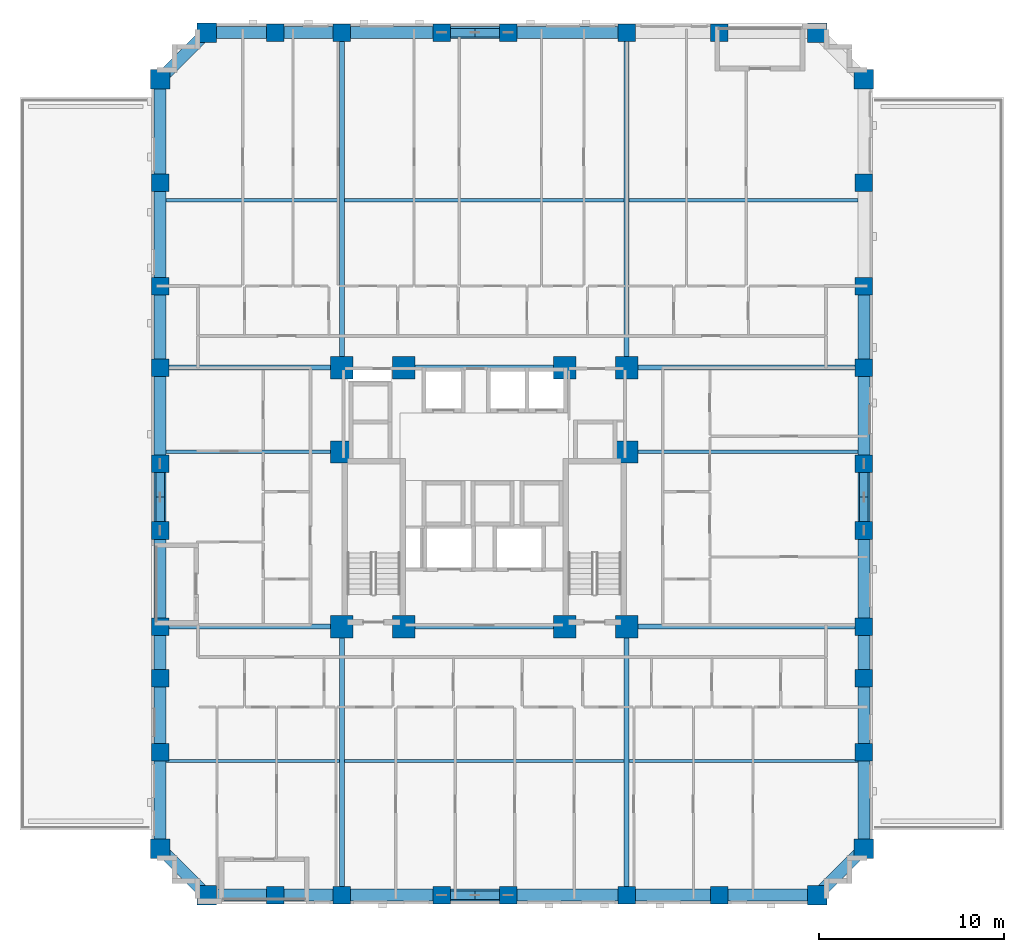
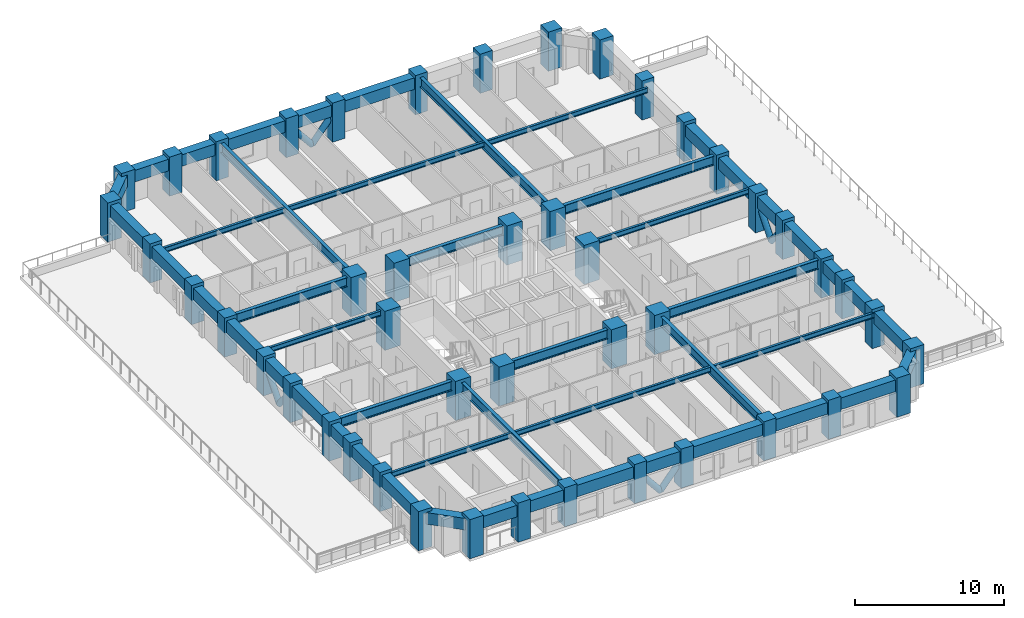
# One storey, part 1 of 14: 49 beams, 46 columns, 8 members.
"""IFC4 building model written with IfcOpenShell, lengths in metres."""

from ifc_helpers import new_model, si_unit, derived_unit, direction, frame, origin, origin_2d, place, context, subcontext, project, spatial, rectangle, hollow_circle, i_section, extrude, material, material_profile, profile_set, type_object, element, save


model = new_model("IFC4")

# Units and contexts
model_context = context("Model", 3, precision=1e-05, world=origin(), true_north=direction((0.0, 1.0)))
body_context = subcontext(model_context, "Body", "Model", "MODEL_VIEW")
ifc_project = project(units=[si_unit("LENGTHUNIT", "METRE"), si_unit("AREAUNIT", "SQUARE_METRE"), si_unit("VOLUMEUNIT", "CUBIC_METRE"), si_unit("PLANEANGLEUNIT", "RADIAN"), si_unit("MASSUNIT", "GRAM", prefix="KILO"), derived_unit("THERMALTRANSMITTANCEUNIT", [(si_unit("MASSUNIT", "GRAM", prefix="KILO"), 1), (si_unit("TIMEUNIT", "SECOND"), -3), (si_unit("THERMODYNAMICTEMPERATUREUNIT", "KELVIN"), -1)])], contexts=[model_context])

# Site, building, storey
site_placement = place(None, origin())
site = spatial("IfcSite", under=ifc_project, at=site_placement, CompositionType="ELEMENT")
building_placement = place(site_placement, origin())
building = spatial("IfcBuilding", under=site, at=building_placement, Name="Korrvale Station Residences", CompositionType="ELEMENT")
storey_placement = place(building_placement, frame((0.0, 0.0, 25.800048828125)))
storey = spatial("IfcBuildingStorey", under=building, at=storey_placement, Name="L05", CompositionType="ELEMENT", Elevation=25.800048828125)

# Columns
ifc_material_1 = material(Name="Concrete C70/85", Category="concrete")
ifc_material_profile_1 = material_profile(ifc_material_1, rectangle(XDim=1.050048828125, YDim=1.050048828125, at=origin_2d()), Name="RC1050x1050")
ifc_profile_set_1 = profile_set([ifc_material_profile_1], Name="Concrete C70/85")
column_type_1 = type_object("IfcColumnType", Name="COL-C-RC1050x1050-C7085", PredefinedType="COLUMN", material=ifc_profile_set_1)
for number, where, z_axis, x_axis, name in (
    (1, (10.5, 0.47998046875, 0.0), (0.0, 0.0, 1.0), (1.0, 0.0, 0.0), "L05 Bundled-Tube South Column 01"),
    (2, (43.5, 0.47998046875, 0.0), (0.0, 0.0, 1.0), (1.0, 0.0, 0.0), "L05 Bundled-Tube South Column 08"),
    (3, (10.5, 47.1201171875, 0.0), (0.0, 0.0, 1.0), (1.0, 0.0, 0.0), "L05 Bundled-Tube North Column 09"),
    (4, (43.5, 47.1201171875, 0.0), (0.0, 0.0, 1.0), (1.0, 0.0, 0.0), "L05 Bundled-Tube North Column 16"),
    (5, (7.97998046875, 3.0, 0.0), (0.0, 0.0, 1.0), (1.0, 0.0, 0.0), "L05 Bundled-Tube West Column 17"),
    (6, (7.97998046875, 44.60009765625, 0.0), (0.0, 0.0, 1.0), (1.0, 0.0, 0.0), "L05 Bundled-Tube West Column 26"),
    (7, (46.02001953125, 3.0, 0.0), (0.0, 0.0, 1.0), (1.0, 0.0, 0.0), "L05 Bundled-Tube East Column 27"),
    (8, (46.02001953125, 44.60009765625, 0.0), (0.0, 0.0, 1.0), (1.0, 0.0, 0.0), "L05 Bundled-Tube East Column 36"),
):
    element("IfcColumn", number, at=place(storey_placement, frame(where, z_axis=z_axis, x_axis=x_axis)), inside=storey, type_object=column_type_1, Name=name, PredefinedType="COLUMN", context=body_context, shape_type="SweptSolid", body=[
        extrude(rectangle(XDim=1.050048828125, YDim=1.050048828125, at=origin_2d()), origin(), (0.0, 0.0, 1.0), 3.199951171875),
    ])
ifc_material_profile_2 = material_profile(ifc_material_1, rectangle(XDim=1.199951171875, YDim=1.199951171875, at=origin_2d()), Name="RC1200x1200")
ifc_profile_set_2 = profile_set([ifc_material_profile_2], Name="Concrete C70/85")
column_type_2 = type_object("IfcColumnType", Name="COL-C-RC1200x1200-C7085", PredefinedType="COLUMN", material=ifc_profile_set_2)
for number, where, z_axis, x_axis, name in (
    (9, (17.800048828125, 15.0, 0.0), (0.0, 0.0, 1.0), (1.0, 0.0, 0.0), "L05 Core Column 01"),
    (10, (21.14990234375, 15.0, 0.0), (0.0, 0.0, 1.0), (1.0, 0.0, 0.0), "L05 Core Column 02"),
    (11, (29.85009765625, 15.0, 0.0), (0.0, 0.0, 1.0), (1.0, 0.0, 0.0), "L05 Core Column 03"),
    (12, (33.199951171875, 15.0, 0.0), (0.0, 0.0, 1.0), (1.0, 0.0, 0.0), "L05 Core Column 04"),
    (13, (17.800048828125, 29.0, 0.0), (0.0, 0.0, 1.0), (1.0, 0.0, 0.0), "L05 Core Column 05"),
    (14, (21.14990234375, 29.0, 0.0), (0.0, 0.0, 1.0), (1.0, 0.0, 0.0), "L05 Core Column 06"),
    (15, (29.85009765625, 29.0, 0.0), (0.0, 0.0, 1.0), (1.0, 0.0, 0.0), "L05 Core Column 07"),
    (16, (33.199951171875, 29.0, 0.0), (0.0, 0.0, 1.0), (1.0, 0.0, 0.0), "L05 Core Column 08"),
    (17, (17.800048828125, 24.449951171875, 0.0), (0.0, 0.0, 1.0), (1.0, 0.0, 0.0), "L05 Core Column 09"),
    (18, (33.199951171875, 24.449951171875, 0.0), (0.0, 0.0, 1.0), (1.0, 0.0, 0.0), "L05 Core Column 10"),
):
    element("IfcColumn", number, at=place(storey_placement, frame(where, z_axis=z_axis, x_axis=x_axis)), inside=storey, type_object=column_type_2, Name=name, PredefinedType="COLUMN", context=body_context, shape_type="SweptSolid", body=[
        extrude(rectangle(XDim=1.199951171875, YDim=1.199951171875, at=origin_2d()), origin(), (0.0, 0.0, 1.0), 3.199951171875),
    ])
ifc_material_profile_3 = material_profile(ifc_material_1, rectangle(XDim=0.949951171875, YDim=0.949951171875, at=origin_2d()), Name="RC950x950")
ifc_profile_set_3 = profile_set([ifc_material_profile_3], Name="Concrete C70/85")
column_type_3 = type_object("IfcColumnType", Name="COL-C-RC950x950-C7085", PredefinedType="COLUMN", material=ifc_profile_set_3)
for number, where, z_axis, x_axis, name in (
    (19, (14.199951171875, 0.47998046875, 0.0), (0.0, 0.0, 1.0), (1.0, 0.0, 0.0), "L05 Bundled-Tube South Column 02"),
    (20, (17.800048828125, 0.47998046875, 0.0), (0.0, 0.0, 1.0), (1.0, 0.0, 0.0), "L05 Bundled-Tube South Column 03"),
    (21, (23.199951171875, 0.47998046875, 0.0), (0.0, 0.0, 1.0), (1.0, 0.0, 0.0), "L05 Bundled-Tube South Column 04"),
    (22, (26.800048828125, 0.47998046875, 0.0), (0.0, 0.0, 1.0), (1.0, 0.0, 0.0), "L05 Bundled-Tube South Column 05"),
    (23, (33.199951171875, 0.47998046875, 0.0), (0.0, 0.0, 1.0), (1.0, 0.0, 0.0), "L05 Bundled-Tube South Column 06"),
    (24, (38.199951171875, 0.47998046875, 0.0), (0.0, 0.0, 1.0), (1.0, 0.0, 0.0), "L05 Bundled-Tube South Column 07"),
    (25, (14.199951171875, 47.1201171875, 0.0), (0.0, 0.0, 1.0), (1.0, 0.0, 0.0), "L05 Bundled-Tube North Column 10"),
    (26, (17.800048828125, 47.1201171875, 0.0), (0.0, 0.0, 1.0), (1.0, 0.0, 0.0), "L05 Bundled-Tube North Column 11"),
    (27, (23.199951171875, 47.1201171875, 0.0), (0.0, 0.0, 1.0), (1.0, 0.0, 0.0), "L05 Bundled-Tube North Column 12"),
    (28, (26.800048828125, 47.1201171875, 0.0), (0.0, 0.0, 1.0), (1.0, 0.0, 0.0), "L05 Bundled-Tube North Column 13"),
    (29, (33.199951171875, 47.1201171875, 0.0), (0.0, 0.0, 1.0), (1.0, 0.0, 0.0), "L05 Bundled-Tube North Column 14"),
    (30, (38.199951171875, 47.1201171875, 0.0), (0.0, 0.0, 1.0), (1.0, 0.0, 0.0), "L05 Bundled-Tube North Column 15"),
    (31, (7.97998046875, 8.199951171875, 0.0), (0.0, 0.0, 1.0), (1.0, 0.0, 0.0), "L05 Bundled-Tube West Column 18"),
    (32, (7.97998046875, 12.199951171875, 0.0), (0.0, 0.0, 1.0), (1.0, 0.0, 0.0), "L05 Bundled-Tube West Column 19"),
    (33, (7.97998046875, 15.0, 0.0), (0.0, 0.0, 1.0), (1.0, 0.0, 0.0), "L05 Bundled-Tube West Column 20"),
    (34, (7.97998046875, 20.199951171875, 0.0), (0.0, 0.0, 1.0), (1.0, 0.0, 0.0), "L05 Bundled-Tube West Column 21"),
    (35, (7.97998046875, 23.800048828125, 0.0), (0.0, 0.0, 1.0), (1.0, 0.0, 0.0), "L05 Bundled-Tube West Column 22"),
    (36, (7.97998046875, 29.0, 0.0), (0.0, 0.0, 1.0), (1.0, 0.0, 0.0), "L05 Bundled-Tube West Column 23"),
    (37, (7.97998046875, 33.39990234375, 0.0), (0.0, 0.0, 1.0), (1.0, 0.0, 0.0), "L05 Bundled-Tube West Column 24"),
    (38, (7.97998046875, 39.0, 0.0), (0.0, 0.0, 1.0), (1.0, 0.0, 0.0), "L05 Bundled-Tube West Column 25"),
    (39, (46.02001953125, 8.199951171875, 0.0), (0.0, 0.0, 1.0), (1.0, 0.0, 0.0), "L05 Bundled-Tube East Column 28"),
    (40, (46.02001953125, 12.199951171875, 0.0), (0.0, 0.0, 1.0), (1.0, 0.0, 0.0), "L05 Bundled-Tube East Column 29"),
    (41, (46.02001953125, 15.0, 0.0), (0.0, 0.0, 1.0), (1.0, 0.0, 0.0), "L05 Bundled-Tube East Column 30"),
    (42, (46.02001953125, 20.199951171875, 0.0), (0.0, 0.0, 1.0), (1.0, 0.0, 0.0), "L05 Bundled-Tube East Column 31"),
    (43, (46.02001953125, 23.800048828125, 0.0), (0.0, 0.0, 1.0), (1.0, 0.0, 0.0), "L05 Bundled-Tube East Column 32"),
    (44, (46.02001953125, 29.0, 0.0), (0.0, 0.0, 1.0), (1.0, 0.0, 0.0), "L05 Bundled-Tube East Column 33"),
    (45, (46.02001953125, 33.39990234375, 0.0), (0.0, 0.0, 1.0), (1.0, 0.0, 0.0), "L05 Bundled-Tube East Column 34"),
    (46, (46.02001953125, 39.0, 0.0), (0.0, 0.0, 1.0), (1.0, 0.0, 0.0), "L05 Bundled-Tube East Column 35"),
):
    element("IfcColumn", number, at=place(storey_placement, frame(where, z_axis=z_axis, x_axis=x_axis)), inside=storey, type_object=column_type_3, Name=name, PredefinedType="COLUMN", context=body_context, shape_type="SweptSolid", body=[
        extrude(rectangle(XDim=0.949951171875, YDim=0.949951171875, at=origin_2d()), origin(), (0.0, 0.0, 1.0), 3.199951171875),
    ])

# Beams
ifc_material_2 = material(Name="Steel S355", Category="steel")
ifc_material_profile_4 = material_profile(ifc_material_2, i_section(OverallWidth=0.26806640625, OverallDepth=0.77001953125, WebThickness=0.015625, FlangeThickness=0.025390625, FilletRadius=0.02197265625, at=origin_2d()), Name="W760x196")
ifc_profile_set_4 = profile_set([ifc_material_profile_4], Name="Steel S355")
beam_type_1 = type_object("IfcBeamType", Name="BM-BM-W760x196-S355", PredefinedType="BEAM", material=ifc_profile_set_4)
for number, where, z_axis, x_axis, name in (
    (47, (17.800048828125, 0.47998046875, 2.554931640625), (0.0, 1.0, 0.0), (-1.0, 0.0, 0.0), "L05 Bundled-Tube Web Girder 01"),
    (48, (33.199951171875, 0.47998046875, 2.554931640625), (0.0, 1.0, 0.0), (-1.0, 0.0, 0.0), "L05 Bundled-Tube Web Girder 02"),
):
    element("IfcBeam", number, at=place(storey_placement, frame(where, z_axis=z_axis, x_axis=x_axis)), inside=storey, type_object=beam_type_1, Name=name, PredefinedType="BEAM", context=body_context, shape_type="SweptSolid", body=[
        extrude(i_section(OverallWidth=0.26806640625, OverallDepth=0.77001953125, WebThickness=0.015625, FlangeThickness=0.025390625, FilletRadius=0.02197265625, at=origin_2d()), origin(), (0.0, 0.0, 1.0), 14.52001953125),
    ])
for number, where, z_axis, x_axis, name in (
    (49, (17.800048828125, 29.0, 2.554931640625), (0.0, 1.0, 0.0), (-1.0, 0.0, 0.0), "L05 Bundled-Tube Web Girder 03"),
    (50, (33.199951171875, 29.0, 2.554931640625), (0.0, 1.0, 0.0), (-1.0, 0.0, 0.0), "L05 Bundled-Tube Web Girder 04"),
):
    element("IfcBeam", number, at=place(storey_placement, frame(where, z_axis=z_axis, x_axis=x_axis)), inside=storey, type_object=beam_type_1, Name=name, PredefinedType="BEAM", context=body_context, shape_type="SweptSolid", body=[
        extrude(i_section(OverallWidth=0.26806640625, OverallDepth=0.77001953125, WebThickness=0.015625, FlangeThickness=0.025390625, FilletRadius=0.02197265625, at=origin_2d()), origin(), (0.0, 0.0, 1.0), 18.1201171875),
    ])
beam_1_placement = place(storey_placement, frame((7.97998046875, 15.0, 2.554931640625), z_axis=(1.0, 0.0, 0.0), x_axis=(0.0, 1.0, 0.0)))
element("IfcBeam", 51, at=beam_1_placement, inside=storey, type_object=beam_type_1, Name="L05 Bundled-Tube Web Girder 05", PredefinedType="BEAM", context=body_context, shape_type="SweptSolid", body=[
    extrude(i_section(OverallWidth=0.26806640625, OverallDepth=0.77001953125, WebThickness=0.015625, FlangeThickness=0.025390625, FilletRadius=0.02197265625, at=origin_2d()), origin(), (0.0, 0.0, 1.0), 9.820068359375),
])
beam_2_placement = place(storey_placement, frame((33.199951171875, 15.0, 2.554931640625), z_axis=(1.0, 0.0, 0.0), x_axis=(0.0, 1.0, 0.0)))
element("IfcBeam", 52, at=beam_2_placement, inside=storey, type_object=beam_type_1, Name="L05 Bundled-Tube Web Girder 06", PredefinedType="BEAM", context=body_context, shape_type="SweptSolid", body=[
    extrude(i_section(OverallWidth=0.26806640625, OverallDepth=0.77001953125, WebThickness=0.015625, FlangeThickness=0.025390625, FilletRadius=0.02197265625, at=origin_2d()), origin(), (0.0, 0.0, 1.0), 12.820068359375),
])
beam_3_placement = place(storey_placement, frame((7.97998046875, 29.0, 2.554931640625), z_axis=(1.0, 0.0, 0.0), x_axis=(0.0, 1.0, 0.0)))
element("IfcBeam", 53, at=beam_3_placement, inside=storey, type_object=beam_type_1, Name="L05 Bundled-Tube Web Girder 07", PredefinedType="BEAM", context=body_context, shape_type="SweptSolid", body=[
    extrude(i_section(OverallWidth=0.26806640625, OverallDepth=0.77001953125, WebThickness=0.015625, FlangeThickness=0.025390625, FilletRadius=0.02197265625, at=origin_2d()), origin(), (0.0, 0.0, 1.0), 9.820068359375),
])
beam_4_placement = place(storey_placement, frame((33.199951171875, 29.0, 2.554931640625), z_axis=(1.0, 0.0, 0.0), x_axis=(0.0, 1.0, 0.0)))
element("IfcBeam", 54, at=beam_4_placement, inside=storey, type_object=beam_type_1, Name="L05 Bundled-Tube Web Girder 08", PredefinedType="BEAM", context=body_context, shape_type="SweptSolid", body=[
    extrude(i_section(OverallWidth=0.26806640625, OverallDepth=0.77001953125, WebThickness=0.015625, FlangeThickness=0.025390625, FilletRadius=0.02197265625, at=origin_2d()), origin(), (0.0, 0.0, 1.0), 12.820068359375),
])
for number, where, z_axis, x_axis, name in (
    (55, (21.14990234375, 15.0, 2.554931640625), (1.0, 0.0, 0.0), (0.0, 1.0, 0.0), "L05 Bundled-Tube Web Girder 09"),
    (56, (21.14990234375, 29.0, 2.554931640625), (1.0, 0.0, 0.0), (0.0, 1.0, 0.0), "L05 Bundled-Tube Web Girder 10"),
):
    element("IfcBeam", number, at=place(storey_placement, frame(where, z_axis=z_axis, x_axis=x_axis)), inside=storey, type_object=beam_type_1, Name=name, PredefinedType="BEAM", context=body_context, shape_type="SweptSolid", body=[
        extrude(i_section(OverallWidth=0.26806640625, OverallDepth=0.77001953125, WebThickness=0.015625, FlangeThickness=0.025390625, FilletRadius=0.02197265625, at=origin_2d()), origin(), (0.0, 0.0, 1.0), 8.7001953125),
    ])
ifc_material_profile_5 = material_profile(ifc_material_2, i_section(OverallWidth=0.180908203125, OverallDepth=0.4169921875, WebThickness=0.010986328125, FlangeThickness=0.018310546875, FilletRadius=0.01611328125, at=origin_2d()), Name="W410x85")
ifc_profile_set_5 = profile_set([ifc_material_profile_5], Name="Steel S355")
beam_type_2 = type_object("IfcBeamType", Name="BM-JST-W410x85-S355", PredefinedType="JOIST", material=ifc_profile_set_5)
beam_5_placement = place(storey_placement, frame((8.304931640625, 7.739990234375, 2.7314453125), z_axis=(1.0, 0.0, 0.0), x_axis=(0.0, 1.0, 0.0)))
element("IfcBeam", 57, at=beam_5_placement, inside=storey, type_object=beam_type_2, Name="L05 Floor Framing Joist 01", PredefinedType="JOIST", context=body_context, shape_type="SweptSolid", body=[
    extrude(i_section(OverallWidth=0.180908203125, OverallDepth=0.4169921875, WebThickness=0.010986328125, FlangeThickness=0.018310546875, FilletRadius=0.01611328125, at=origin_2d()), origin(), (0.0, 0.0, 1.0), 9.361083984375),
])
beam_6_placement = place(storey_placement, frame((17.93408203125, 7.739990234375, 2.7314453125), z_axis=(1.0, 0.0, 0.0), x_axis=(0.0, 1.0, 0.0)))
element("IfcBeam", 58, at=beam_6_placement, inside=storey, type_object=beam_type_2, Name="L05 Floor Framing Joist 02", PredefinedType="JOIST", context=body_context, shape_type="SweptSolid", body=[
    extrude(i_section(OverallWidth=0.180908203125, OverallDepth=0.4169921875, WebThickness=0.010986328125, FlangeThickness=0.018310546875, FilletRadius=0.01611328125, at=origin_2d()), origin(), (0.0, 0.0, 1.0), 15.1318359375),
])
beam_7_placement = place(storey_placement, frame((33.333984375, 7.739990234375, 2.7314453125), z_axis=(1.0, 0.0, 0.0), x_axis=(0.0, 1.0, 0.0)))
element("IfcBeam", 59, at=beam_7_placement, inside=storey, type_object=beam_type_2, Name="L05 Floor Framing Joist 03", PredefinedType="JOIST", context=body_context, shape_type="SweptSolid", body=[
    extrude(i_section(OverallWidth=0.180908203125, OverallDepth=0.4169921875, WebThickness=0.010986328125, FlangeThickness=0.018310546875, FilletRadius=0.01611328125, at=origin_2d()), origin(), (0.0, 0.0, 1.0), 12.361083984375),
])
beam_8_placement = place(storey_placement, frame((8.304931640625, 38.06005859375, 2.7314453125), z_axis=(1.0, 0.0, 0.0), x_axis=(0.0, 1.0, 0.0)))
element("IfcBeam", 60, at=beam_8_placement, inside=storey, type_object=beam_type_2, Name="L05 Floor Framing Joist 04", PredefinedType="JOIST", context=body_context, shape_type="SweptSolid", body=[
    extrude(i_section(OverallWidth=0.180908203125, OverallDepth=0.4169921875, WebThickness=0.010986328125, FlangeThickness=0.018310546875, FilletRadius=0.01611328125, at=origin_2d()), origin(), (0.0, 0.0, 1.0), 9.361083984375),
])
beam_9_placement = place(storey_placement, frame((17.93408203125, 38.06005859375, 2.7314453125), z_axis=(1.0, 0.0, 0.0), x_axis=(0.0, 1.0, 0.0)))
element("IfcBeam", 61, at=beam_9_placement, inside=storey, type_object=beam_type_2, Name="L05 Floor Framing Joist 05", PredefinedType="JOIST", context=body_context, shape_type="SweptSolid", body=[
    extrude(i_section(OverallWidth=0.180908203125, OverallDepth=0.4169921875, WebThickness=0.010986328125, FlangeThickness=0.018310546875, FilletRadius=0.01611328125, at=origin_2d()), origin(), (0.0, 0.0, 1.0), 15.1318359375),
])
beam_10_placement = place(storey_placement, frame((33.333984375, 38.06005859375, 2.7314453125), z_axis=(1.0, 0.0, 0.0), x_axis=(0.0, 1.0, 0.0)))
element("IfcBeam", 62, at=beam_10_placement, inside=storey, type_object=beam_type_2, Name="L05 Floor Framing Joist 06", PredefinedType="JOIST", context=body_context, shape_type="SweptSolid", body=[
    extrude(i_section(OverallWidth=0.180908203125, OverallDepth=0.4169921875, WebThickness=0.010986328125, FlangeThickness=0.018310546875, FilletRadius=0.01611328125, at=origin_2d()), origin(), (0.0, 0.0, 1.0), 12.361083984375),
])
beam_11_placement = place(storey_placement, frame((33.199951171875, 24.449951171875, 2.7314453125), z_axis=(1.0, 0.0, 0.0), x_axis=(0.0, 1.0, 0.0)))
element("IfcBeam", 63, at=beam_11_placement, inside=storey, type_object=beam_type_2, Name="L05 Floor Framing Joist 07", PredefinedType="JOIST", context=body_context, shape_type="SweptSolid", body=[
    extrude(i_section(OverallWidth=0.180908203125, OverallDepth=0.4169921875, WebThickness=0.010986328125, FlangeThickness=0.018310546875, FilletRadius=0.01611328125, at=origin_2d()), origin(), (0.0, 0.0, 1.0), 12.4951171875),
])
beam_12_placement = place(storey_placement, frame((8.304931640625, 24.449951171875, 2.7314453125), z_axis=(1.0, 0.0, 0.0), x_axis=(0.0, 1.0, 0.0)))
element("IfcBeam", 64, at=beam_12_placement, inside=storey, type_object=beam_type_2, Name="L05 Floor Framing Joist 08", PredefinedType="JOIST", context=body_context, shape_type="SweptSolid", body=[
    extrude(i_section(OverallWidth=0.180908203125, OverallDepth=0.4169921875, WebThickness=0.010986328125, FlangeThickness=0.018310546875, FilletRadius=0.01611328125, at=origin_2d()), origin(), (0.0, 0.0, 1.0), 9.4951171875),
])
ifc_material_profile_6 = material_profile(ifc_material_1, rectangle(XDim=0.64990234375, YDim=0.949951171875, at=origin_2d()), Name="RCB650x950")
ifc_profile_set_6 = profile_set([ifc_material_profile_6], Name="Concrete C70/85")
beam_type_3 = type_object("IfcBeamType", Name="BM-SPB-RCB650x950-C7085", PredefinedType="SPANDREL", material=ifc_profile_set_6)
beam_13_placement = place(storey_placement, frame((10.5, 0.47998046875, 2.46484375), z_axis=(1.0, 0.0, 0.0), x_axis=(0.0, 1.0, 0.0)))
element("IfcBeam", 65, at=beam_13_placement, inside=storey, type_object=beam_type_3, Name="L05 South Tube Spandrel 01", PredefinedType="SPANDREL", context=body_context, shape_type="SweptSolid", body=[
    extrude(rectangle(XDim=0.64990234375, YDim=0.949951171875, at=origin_2d()), origin(), (0.0, 0.0, 1.0), 3.699951171875),
])
beam_14_placement = place(storey_placement, frame((14.199951171875, 0.47998046875, 2.46484375), z_axis=(1.0, 0.0, 0.0), x_axis=(0.0, 1.0, 0.0)))
element("IfcBeam", 66, at=beam_14_placement, inside=storey, type_object=beam_type_3, Name="L05 South Tube Spandrel 02", PredefinedType="SPANDREL", context=body_context, shape_type="SweptSolid", body=[
    extrude(rectangle(XDim=0.64990234375, YDim=0.949951171875, at=origin_2d()), origin(), (0.0, 0.0, 1.0), 3.60009765625),
])
beam_15_placement = place(storey_placement, frame((17.800048828125, 0.47998046875, 2.46484375), z_axis=(1.0, 0.0, 0.0), x_axis=(0.0, 1.0, 0.0)))
element("IfcBeam", 67, at=beam_15_placement, inside=storey, type_object=beam_type_3, Name="L05 South Tube Spandrel 03", PredefinedType="SPANDREL", context=body_context, shape_type="SweptSolid", body=[
    extrude(rectangle(XDim=0.64990234375, YDim=0.949951171875, at=origin_2d()), origin(), (0.0, 0.0, 1.0), 5.39990234375),
])
beam_16_placement = place(storey_placement, frame((23.199951171875, 0.47998046875, 2.46484375), z_axis=(1.0, 0.0, 0.0), x_axis=(0.0, 1.0, 0.0)))
element("IfcBeam", 68, at=beam_16_placement, inside=storey, type_object=beam_type_3, Name="L05 South Tube Spandrel 04", PredefinedType="SPANDREL", context=body_context, shape_type="SweptSolid", body=[
    extrude(rectangle(XDim=0.64990234375, YDim=0.949951171875, at=origin_2d()), origin(), (0.0, 0.0, 1.0), 3.60009765625),
])
beam_17_placement = place(storey_placement, frame((26.800048828125, 0.47998046875, 2.46484375), z_axis=(1.0, 0.0, 0.0), x_axis=(0.0, 1.0, 0.0)))
element("IfcBeam", 69, at=beam_17_placement, inside=storey, type_object=beam_type_3, Name="L05 South Tube Spandrel 05", PredefinedType="SPANDREL", context=body_context, shape_type="SweptSolid", body=[
    extrude(rectangle(XDim=0.64990234375, YDim=0.949951171875, at=origin_2d()), origin(), (0.0, 0.0, 1.0), 6.39990234375),
])
beam_18_placement = place(storey_placement, frame((33.199951171875, 0.47998046875, 2.46484375), z_axis=(1.0, 0.0, 0.0), x_axis=(0.0, 1.0, 0.0)))
element("IfcBeam", 70, at=beam_18_placement, inside=storey, type_object=beam_type_3, Name="L05 South Tube Spandrel 06", PredefinedType="SPANDREL", context=body_context, shape_type="SweptSolid", body=[
    extrude(rectangle(XDim=0.64990234375, YDim=0.949951171875, at=origin_2d()), origin(), (0.0, 0.0, 1.0), 5.0),
])
beam_19_placement = place(storey_placement, frame((38.199951171875, 0.47998046875, 2.46484375), z_axis=(1.0, 0.0, 0.0), x_axis=(0.0, 1.0, 0.0)))
element("IfcBeam", 71, at=beam_19_placement, inside=storey, type_object=beam_type_3, Name="L05 South Tube Spandrel 07", PredefinedType="SPANDREL", context=body_context, shape_type="SweptSolid", body=[
    extrude(rectangle(XDim=0.64990234375, YDim=0.949951171875, at=origin_2d()), origin(), (0.0, 0.0, 1.0), 5.300048828125),
])
beam_20_placement = place(storey_placement, frame((10.5, 47.1201171875, 2.46484375), z_axis=(1.0, 0.0, 0.0), x_axis=(0.0, 1.0, 0.0)))
element("IfcBeam", 72, at=beam_20_placement, inside=storey, type_object=beam_type_3, Name="L05 North Tube Spandrel 08", PredefinedType="SPANDREL", context=body_context, shape_type="SweptSolid", body=[
    extrude(rectangle(XDim=0.64990234375, YDim=0.949951171875, at=origin_2d()), origin(), (0.0, 0.0, 1.0), 3.699951171875),
])
beam_21_placement = place(storey_placement, frame((14.199951171875, 47.1201171875, 2.46484375), z_axis=(1.0, 0.0, 0.0), x_axis=(0.0, 1.0, 0.0)))
element("IfcBeam", 73, at=beam_21_placement, inside=storey, type_object=beam_type_3, Name="L05 North Tube Spandrel 09", PredefinedType="SPANDREL", context=body_context, shape_type="SweptSolid", body=[
    extrude(rectangle(XDim=0.64990234375, YDim=0.949951171875, at=origin_2d()), origin(), (0.0, 0.0, 1.0), 3.60009765625),
])
beam_22_placement = place(storey_placement, frame((17.800048828125, 47.1201171875, 2.46484375), z_axis=(1.0, 0.0, 0.0), x_axis=(0.0, 1.0, 0.0)))
element("IfcBeam", 74, at=beam_22_placement, inside=storey, type_object=beam_type_3, Name="L05 North Tube Spandrel 10", PredefinedType="SPANDREL", context=body_context, shape_type="SweptSolid", body=[
    extrude(rectangle(XDim=0.64990234375, YDim=0.949951171875, at=origin_2d()), origin(), (0.0, 0.0, 1.0), 5.39990234375),
])
beam_23_placement = place(storey_placement, frame((23.199951171875, 47.1201171875, 2.46484375), z_axis=(1.0, 0.0, 0.0), x_axis=(0.0, 1.0, 0.0)))
element("IfcBeam", 75, at=beam_23_placement, inside=storey, type_object=beam_type_3, Name="L05 North Tube Spandrel 11", PredefinedType="SPANDREL", context=body_context, shape_type="SweptSolid", body=[
    extrude(rectangle(XDim=0.64990234375, YDim=0.949951171875, at=origin_2d()), origin(), (0.0, 0.0, 1.0), 3.60009765625),
])
beam_24_placement = place(storey_placement, frame((26.800048828125, 47.1201171875, 2.46484375), z_axis=(1.0, 0.0, 0.0), x_axis=(0.0, 1.0, 0.0)))
element("IfcBeam", 76, at=beam_24_placement, inside=storey, type_object=beam_type_3, Name="L05 North Tube Spandrel 12", PredefinedType="SPANDREL", context=body_context, shape_type="SweptSolid", body=[
    extrude(rectangle(XDim=0.64990234375, YDim=0.949951171875, at=origin_2d()), origin(), (0.0, 0.0, 1.0), 6.39990234375),
])
beam_25_placement = place(storey_placement, frame((7.97998046875, 3.0, 2.46484375), z_axis=(0.0, 1.0, 0.0), x_axis=(-1.0, 0.0, 0.0)))
element("IfcBeam", 77, at=beam_25_placement, inside=storey, type_object=beam_type_3, Name="L05 West Tube Spandrel 15", PredefinedType="SPANDREL", context=body_context, shape_type="SweptSolid", body=[
    extrude(rectangle(XDim=0.64990234375, YDim=0.949951171875, at=origin_2d()), origin(), (0.0, 0.0, 1.0), 5.199951171875),
])
beam_26_placement = place(storey_placement, frame((7.97998046875, 8.199951171875, 2.46484375), z_axis=(0.0, 1.0, 0.0), x_axis=(-1.0, 0.0, 0.0)))
element("IfcBeam", 78, at=beam_26_placement, inside=storey, type_object=beam_type_3, Name="L05 West Tube Spandrel 16", PredefinedType="SPANDREL", context=body_context, shape_type="SweptSolid", body=[
    extrude(rectangle(XDim=0.64990234375, YDim=0.949951171875, at=origin_2d()), origin(), (0.0, 0.0, 1.0), 4.0),
])
beam_27_placement = place(storey_placement, frame((7.97998046875, 12.199951171875, 2.46484375), z_axis=(0.0, 1.0, 0.0), x_axis=(-1.0, 0.0, 0.0)))
element("IfcBeam", 79, at=beam_27_placement, inside=storey, type_object=beam_type_3, Name="L05 West Tube Spandrel 17", PredefinedType="SPANDREL", context=body_context, shape_type="SweptSolid", body=[
    extrude(rectangle(XDim=0.64990234375, YDim=0.949951171875, at=origin_2d()), origin(), (0.0, 0.0, 1.0), 2.800048828125),
])
beam_28_placement = place(storey_placement, frame((7.97998046875, 15.0, 2.46484375), z_axis=(0.0, 1.0, 0.0), x_axis=(-1.0, 0.0, 0.0)))
element("IfcBeam", 80, at=beam_28_placement, inside=storey, type_object=beam_type_3, Name="L05 West Tube Spandrel 18", PredefinedType="SPANDREL", context=body_context, shape_type="SweptSolid", body=[
    extrude(rectangle(XDim=0.64990234375, YDim=0.949951171875, at=origin_2d()), origin(), (0.0, 0.0, 1.0), 5.199951171875),
])
beam_29_placement = place(storey_placement, frame((7.97998046875, 20.199951171875, 2.46484375), z_axis=(0.0, 1.0, 0.0), x_axis=(-1.0, 0.0, 0.0)))
element("IfcBeam", 81, at=beam_29_placement, inside=storey, type_object=beam_type_3, Name="L05 West Tube Spandrel 19", PredefinedType="SPANDREL", context=body_context, shape_type="SweptSolid", body=[
    extrude(rectangle(XDim=0.64990234375, YDim=0.949951171875, at=origin_2d()), origin(), (0.0, 0.0, 1.0), 3.60009765625),
])
beam_30_placement = place(storey_placement, frame((7.97998046875, 23.800048828125, 2.46484375), z_axis=(0.0, 1.0, 0.0), x_axis=(-1.0, 0.0, 0.0)))
element("IfcBeam", 82, at=beam_30_placement, inside=storey, type_object=beam_type_3, Name="L05 West Tube Spandrel 20", PredefinedType="SPANDREL", context=body_context, shape_type="SweptSolid", body=[
    extrude(rectangle(XDim=0.64990234375, YDim=0.949951171875, at=origin_2d()), origin(), (0.0, 0.0, 1.0), 5.199951171875),
])
beam_31_placement = place(storey_placement, frame((7.97998046875, 29.0, 2.46484375), z_axis=(0.0, 1.0, 0.0), x_axis=(-1.0, 0.0, 0.0)))
element("IfcBeam", 83, at=beam_31_placement, inside=storey, type_object=beam_type_3, Name="L05 West Tube Spandrel 21", PredefinedType="SPANDREL", context=body_context, shape_type="SweptSolid", body=[
    extrude(rectangle(XDim=0.64990234375, YDim=0.949951171875, at=origin_2d()), origin(), (0.0, 0.0, 1.0), 4.39990234375),
])
for number, where, z_axis, x_axis, name in (
    (84, (7.97998046875, 33.39990234375, 2.46484375), (0.0, 1.0, 0.0), (-1.0, 0.0, 0.0), "L05 West Tube Spandrel 22"),
    (85, (7.97998046875, 39.0, 2.46484375), (0.0, 1.0, 0.0), (-1.0, 0.0, 0.0), "L05 West Tube Spandrel 23"),
):
    element("IfcBeam", number, at=place(storey_placement, frame(where, z_axis=z_axis, x_axis=x_axis)), inside=storey, type_object=beam_type_3, Name=name, PredefinedType="SPANDREL", context=body_context, shape_type="SweptSolid", body=[
        extrude(rectangle(XDim=0.64990234375, YDim=0.949951171875, at=origin_2d()), origin(), (0.0, 0.0, 1.0), 5.60009765625),
    ])
beam_32_placement = place(storey_placement, frame((46.02001953125, 3.0, 2.46484375), z_axis=(0.0, 1.0, 0.0), x_axis=(-1.0, 0.0, 0.0)))
element("IfcBeam", 86, at=beam_32_placement, inside=storey, type_object=beam_type_3, Name="L05 East Tube Spandrel 24", PredefinedType="SPANDREL", context=body_context, shape_type="SweptSolid", body=[
    extrude(rectangle(XDim=0.64990234375, YDim=0.949951171875, at=origin_2d()), origin(), (0.0, 0.0, 1.0), 5.199951171875),
])
beam_33_placement = place(storey_placement, frame((46.02001953125, 8.199951171875, 2.46484375), z_axis=(0.0, 1.0, 0.0), x_axis=(-1.0, 0.0, 0.0)))
element("IfcBeam", 87, at=beam_33_placement, inside=storey, type_object=beam_type_3, Name="L05 East Tube Spandrel 25", PredefinedType="SPANDREL", context=body_context, shape_type="SweptSolid", body=[
    extrude(rectangle(XDim=0.64990234375, YDim=0.949951171875, at=origin_2d()), origin(), (0.0, 0.0, 1.0), 4.0),
])
beam_34_placement = place(storey_placement, frame((46.02001953125, 12.199951171875, 2.46484375), z_axis=(0.0, 1.0, 0.0), x_axis=(-1.0, 0.0, 0.0)))
element("IfcBeam", 88, at=beam_34_placement, inside=storey, type_object=beam_type_3, Name="L05 East Tube Spandrel 26", PredefinedType="SPANDREL", context=body_context, shape_type="SweptSolid", body=[
    extrude(rectangle(XDim=0.64990234375, YDim=0.949951171875, at=origin_2d()), origin(), (0.0, 0.0, 1.0), 2.800048828125),
])
beam_35_placement = place(storey_placement, frame((46.02001953125, 15.0, 2.46484375), z_axis=(0.0, 1.0, 0.0), x_axis=(-1.0, 0.0, 0.0)))
element("IfcBeam", 89, at=beam_35_placement, inside=storey, type_object=beam_type_3, Name="L05 East Tube Spandrel 27", PredefinedType="SPANDREL", context=body_context, shape_type="SweptSolid", body=[
    extrude(rectangle(XDim=0.64990234375, YDim=0.949951171875, at=origin_2d()), origin(), (0.0, 0.0, 1.0), 5.199951171875),
])
beam_36_placement = place(storey_placement, frame((46.02001953125, 20.199951171875, 2.46484375), z_axis=(0.0, 1.0, 0.0), x_axis=(-1.0, 0.0, 0.0)))
element("IfcBeam", 90, at=beam_36_placement, inside=storey, type_object=beam_type_3, Name="L05 East Tube Spandrel 28", PredefinedType="SPANDREL", context=body_context, shape_type="SweptSolid", body=[
    extrude(rectangle(XDim=0.64990234375, YDim=0.949951171875, at=origin_2d()), origin(), (0.0, 0.0, 1.0), 3.60009765625),
])
beam_37_placement = place(storey_placement, frame((46.02001953125, 23.800048828125, 2.46484375), z_axis=(0.0, 1.0, 0.0), x_axis=(-1.0, 0.0, 0.0)))
element("IfcBeam", 91, at=beam_37_placement, inside=storey, type_object=beam_type_3, Name="L05 East Tube Spandrel 29", PredefinedType="SPANDREL", context=body_context, shape_type="SweptSolid", body=[
    extrude(rectangle(XDim=0.64990234375, YDim=0.949951171875, at=origin_2d()), origin(), (0.0, 0.0, 1.0), 5.199951171875),
])
beam_38_placement = place(storey_placement, frame((46.02001953125, 29.0, 2.46484375), z_axis=(0.0, 1.0, 0.0), x_axis=(-1.0, 0.0, 0.0)))
element("IfcBeam", 92, at=beam_38_placement, inside=storey, type_object=beam_type_3, Name="L05 East Tube Spandrel 30", PredefinedType="SPANDREL", context=body_context, shape_type="SweptSolid", body=[
    extrude(rectangle(XDim=0.64990234375, YDim=0.949951171875, at=origin_2d()), origin(), (0.0, 0.0, 1.0), 4.39990234375),
])
for number, where, z_axis, x_axis, name in (
    (93, (10.5, 0.47998046875, 2.46484375), (-0.707106781187, 0.707106781187, 0.0), (-0.707106781187, -0.707106781187, 0.0), "L05 Serrated Corner Spandrel 33"),
    (94, (43.5, 0.47998046875, 2.46484375), (0.707106781187, 0.707106781187, 0.0), (-0.707106781187, 0.707106781187, 0.0), "L05 Serrated Corner Spandrel 34"),
    (95, (10.5, 47.1201171875, 2.46484375), (-0.707106781187, -0.707106781187, 0.0), (0.707106781187, -0.707106781187, 0.0), "L05 Serrated Corner Spandrel 36"),
):
    element("IfcBeam", number, at=place(storey_placement, frame(where, z_axis=z_axis, x_axis=x_axis)), inside=storey, type_object=beam_type_3, Name=name, PredefinedType="SPANDREL", context=body_context, shape_type="SweptSolid", body=[
        extrude(rectangle(XDim=0.64990234375, YDim=0.949951171875, at=origin_2d()), origin(), (0.0, 0.0, 1.0), 3.56396484375),
    ])

# Members
ifc_material_profile_7 = material_profile(ifc_material_2, hollow_circle(Radius=0.228515625, WallThickness=0.01904296875, at=origin_2d()), Name="HSS457x19")
ifc_profile_set_7 = profile_set([ifc_material_profile_7], Name="Steel S355")
member_type = type_object("IfcMemberType", Name="MBR-BR-HSS457x19", PredefinedType="BRACE", material=ifc_profile_set_7)
for number, where, z_axis, x_axis, name in (
    (96, (25.0, 0.47998046875, 0.02001953125), (-0.634985494602, 0.0, 0.772524058942), (0.0, -1.0, 0.0), "L05 S Perimeter Tube Wind Brace 1"),
    (97, (25.0, 0.47998046875, 0.02001953125), (0.634985494602, 0.0, 0.772524058942), (0.0, 1.0, 0.0), "L05 S Perimeter Tube Wind Brace 2"),
    (98, (25.0, 47.1201171875, 0.02001953125), (-0.634985494602, 0.0, 0.772524058942), (0.0, -1.0, 0.0), "L05 N Perimeter Tube Wind Brace 1"),
    (99, (25.0, 47.1201171875, 0.02001953125), (0.634985494602, 0.0, 0.772524058942), (0.0, 1.0, 0.0), "L05 N Perimeter Tube Wind Brace 2"),
    (100, (7.97998046875, 22.0, 0.02001953125), (0.0, -0.634985494602, 0.772524058942), (1.0, 0.0, 0.0), "L05 W Perimeter Tube Wind Brace 1"),
    (101, (7.97998046875, 22.0, 0.02001953125), (0.0, 0.634985494602, 0.772524058942), (-1.0, 0.0, 0.0), "L05 W Perimeter Tube Wind Brace 2"),
    (102, (46.02001953125, 22.0, 0.02001953125), (0.0, -0.634985494602, 0.772524058942), (1.0, 0.0, 0.0), "L05 E Perimeter Tube Wind Brace 1"),
    (103, (46.02001953125, 22.0, 0.02001953125), (0.0, 0.634985494602, 0.772524058942), (-1.0, 0.0, 0.0), "L05 E Perimeter Tube Wind Brace 2"),
):
    element("IfcMember", number, at=place(storey_placement, frame(where, z_axis=z_axis, x_axis=x_axis)), inside=storey, type_object=member_type, Name=name, PredefinedType="BRACE", context=body_context, shape_type="SweptSolid", body=[
        extrude(hollow_circle(Radius=0.228515625, WallThickness=0.01904296875, at=origin_2d()), origin(), (0.0, 0.0, 1.0), 2.834716796875),
    ])

save(model, "model.ifc")
